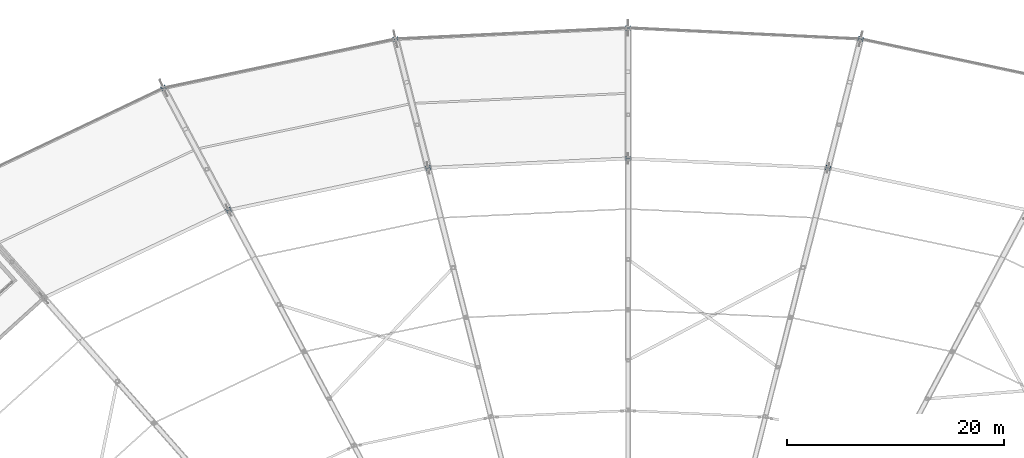
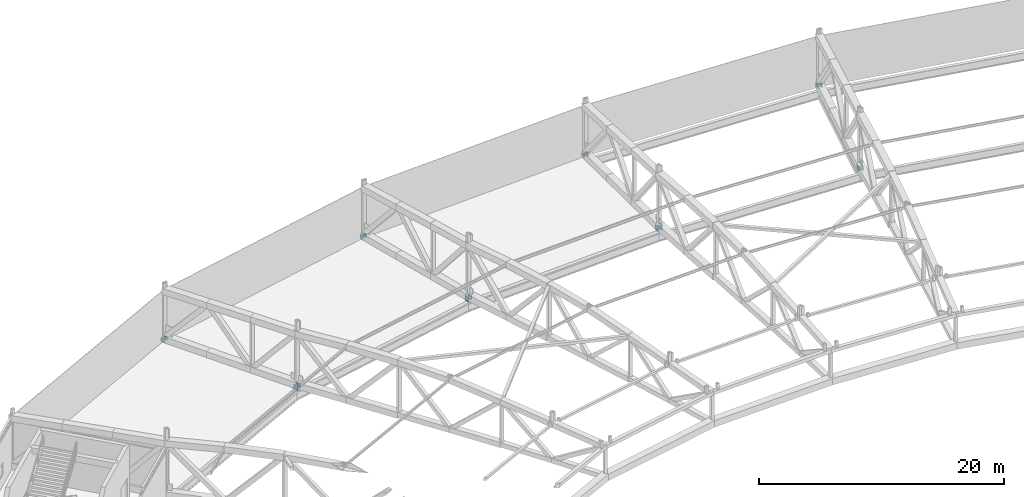
# One storey, part 12 of 162: 8 columns.
"""IFC4 building model written with IfcOpenShell, lengths in metres."""

from ifc_helpers import new_model, si_unit, direction, frame, origin, origin_2d, place, context, subcontext, project, spatial, i_section, extrude, material, material_profile, profile_set, type_object, element, save


model = new_model("IFC4")

# Units and contexts
model_context = context("Model", 3, precision=1e-05, world=origin(), true_north=direction((0.0, 1.0)))
body_context = subcontext(model_context, "Body", "Model", "MODEL_VIEW")
ifc_project = project(units=[si_unit("LENGTHUNIT", "METRE"), si_unit("AREAUNIT", "SQUARE_METRE"), si_unit("VOLUMEUNIT", "CUBIC_METRE"), si_unit("PLANEANGLEUNIT", "RADIAN"), si_unit("MASSUNIT", "GRAM", prefix="KILO")], contexts=[model_context])

# Site, building, storey
site_placement = place(None, origin())
site = spatial("IfcSite", under=ifc_project, at=site_placement, CompositionType="ELEMENT")
building_placement = place(site_placement, origin())
building = spatial("IfcBuilding", under=site, at=building_placement, Name="Kazemori Nagisa Stadium", CompositionType="ELEMENT")
storey_placement = place(building_placement, frame((0.0, 0.0, 36.719970703125)))
storey = spatial("IfcBuildingStorey", under=building, at=storey_placement, Name="RF", CompositionType="ELEMENT", Elevation=36.719970703125)

# Columns
ifc_material = material(Name="Steel SN490B", Category="steel")
ifc_material_profile = material_profile(ifc_material, i_section(OverallWidth=0.406982421875, OverallDepth=0.427978515625, WebThickness=0.02001953125, FlangeThickness=0.034912109375, FilletRadius=0.012939453125, at=origin_2d()), Name="H-428x407x20x35")
ifc_profile_set = profile_set([ifc_material_profile], Name="Steel SN490B")
column_type = type_object("IfcColumnType", Name="Column_C-H428", PredefinedType="COLUMN", material=ifc_profile_set)
column_1_placement = place(storey_placement, frame((144.427734375, 186.98681640625, 0.0), z_axis=(0.0, 0.0, 1.0), x_axis=(0.222520933954, 0.974927912182, 0.0)))
element("IfcColumn", 1, at=column_1_placement, inside=storey, type_object=column_type, Name="Roof truss bearing pedestal R3-07", PredefinedType="COLUMN", context=body_context, shape_type="SweptSolid", body=[
    extrude(i_section(OverallWidth=0.406982421875, OverallDepth=0.427978515625, WebThickness=0.02001953125, FlangeThickness=0.034912109375, FilletRadius=0.012939453125, at=origin_2d()), origin(), (0.0, 0.0, 1.0), 0.360107421875),
])
column_2_placement = place(storey_placement, frame((141.427734375, 175.088623046875, 0.0), z_axis=(0.0, 0.0, 1.0), x_axis=(0.222520933954, 0.974927912182, 0.0)))
element("IfcColumn", 2, at=column_2_placement, inside=storey, type_object=column_type, Name="Roof truss bearing pedestal R2-07", PredefinedType="COLUMN", context=body_context, shape_type="SweptSolid", body=[
    extrude(i_section(OverallWidth=0.406982421875, OverallDepth=0.427978515625, WebThickness=0.02001953125, FlangeThickness=0.034912109375, FilletRadius=0.012939453125, at=origin_2d()), origin(), (0.0, 0.0, 1.0), 0.47998046875),
])
column_3_placement = place(storey_placement, frame((123.0, 188.0, 0.0), z_axis=(0.0, 0.0, 1.0), x_axis=(0.0, 1.0, 0.0)))
element("IfcColumn", 3, at=column_3_placement, inside=storey, type_object=column_type, Name="Roof truss bearing pedestal R3-08", PredefinedType="COLUMN", context=body_context, shape_type="SweptSolid", body=[
    extrude(i_section(OverallWidth=0.406982421875, OverallDepth=0.427978515625, WebThickness=0.02001953125, FlangeThickness=0.034912109375, FilletRadius=0.012939453125, at=origin_2d()), origin(), (0.0, 0.0, 1.0), 0.360107421875),
])
column_4_placement = place(storey_placement, frame((123.0, 175.9599609375, 0.0), z_axis=(0.0, 0.0, 1.0), x_axis=(0.0, 1.0, 0.0)))
element("IfcColumn", 4, at=column_4_placement, inside=storey, type_object=column_type, Name="Roof truss bearing pedestal R2-08", PredefinedType="COLUMN", context=body_context, shape_type="SweptSolid", body=[
    extrude(i_section(OverallWidth=0.406982421875, OverallDepth=0.427978515625, WebThickness=0.02001953125, FlangeThickness=0.034912109375, FilletRadius=0.012939453125, at=origin_2d()), origin(), (0.0, 0.0, 1.0), 0.47998046875),
])
column_5_placement = place(storey_placement, frame((101.572265625, 186.98681640625, 0.0), z_axis=(0.0, 0.0, 1.0), x_axis=(-0.222520933954, 0.974927912182, 0.0)))
element("IfcColumn", 5, at=column_5_placement, inside=storey, type_object=column_type, Name="Roof truss bearing pedestal R3-09", PredefinedType="COLUMN", context=body_context, shape_type="SweptSolid", body=[
    extrude(i_section(OverallWidth=0.406982421875, OverallDepth=0.427978515625, WebThickness=0.02001953125, FlangeThickness=0.034912109375, FilletRadius=0.012939453125, at=origin_2d()), origin(), (0.0, 0.0, 1.0), 0.360107421875),
])
column_6_placement = place(storey_placement, frame((104.572265625, 175.088623046875, 0.0), z_axis=(0.0, 0.0, 1.0), x_axis=(-0.222520933954, 0.974927912182, 0.0)))
element("IfcColumn", 6, at=column_6_placement, inside=storey, type_object=column_type, Name="Roof truss bearing pedestal R2-09", PredefinedType="COLUMN", context=body_context, shape_type="SweptSolid", body=[
    extrude(i_section(OverallWidth=0.406982421875, OverallDepth=0.427978515625, WebThickness=0.02001953125, FlangeThickness=0.034912109375, FilletRadius=0.012939453125, at=origin_2d()), origin(), (0.0, 0.0, 1.0), 0.47998046875),
])
column_7_placement = place(storey_placement, frame((80.1953125, 182.46435546875, 0.0), z_axis=(0.0, 0.0, 1.0), x_axis=(-0.433883739113, 0.900968867905, 0.0)))
element("IfcColumn", 7, at=column_7_placement, inside=storey, type_object=column_type, Name="Roof truss bearing pedestal R3-10", PredefinedType="COLUMN", context=body_context, shape_type="SweptSolid", body=[
    extrude(i_section(OverallWidth=0.406982421875, OverallDepth=0.427978515625, WebThickness=0.02001953125, FlangeThickness=0.034912109375, FilletRadius=0.012939453125, at=origin_2d()), origin(), (0.0, 0.0, 1.0), 0.360107421875),
])
column_8_placement = place(storey_placement, frame((86.18798828125, 171.19921875, 0.0), z_axis=(0.0, 0.0, 1.0), x_axis=(-0.433883739113, 0.900968867905, 0.0)))
element("IfcColumn", 8, at=column_8_placement, inside=storey, type_object=column_type, Name="Roof truss bearing pedestal R2-10", PredefinedType="COLUMN", context=body_context, shape_type="SweptSolid", body=[
    extrude(i_section(OverallWidth=0.406982421875, OverallDepth=0.427978515625, WebThickness=0.02001953125, FlangeThickness=0.034912109375, FilletRadius=0.012939453125, at=origin_2d()), origin(), (0.0, 0.0, 1.0), 0.47998046875),
])

save(model, "model.ifc")
